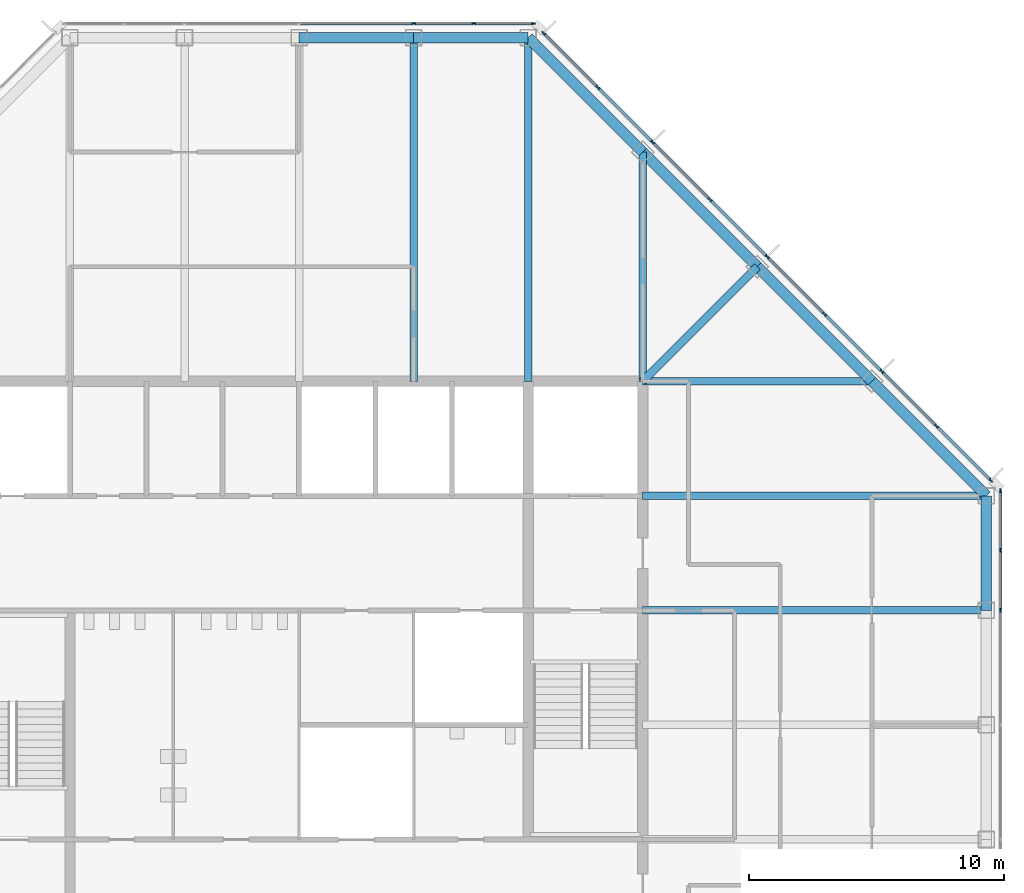
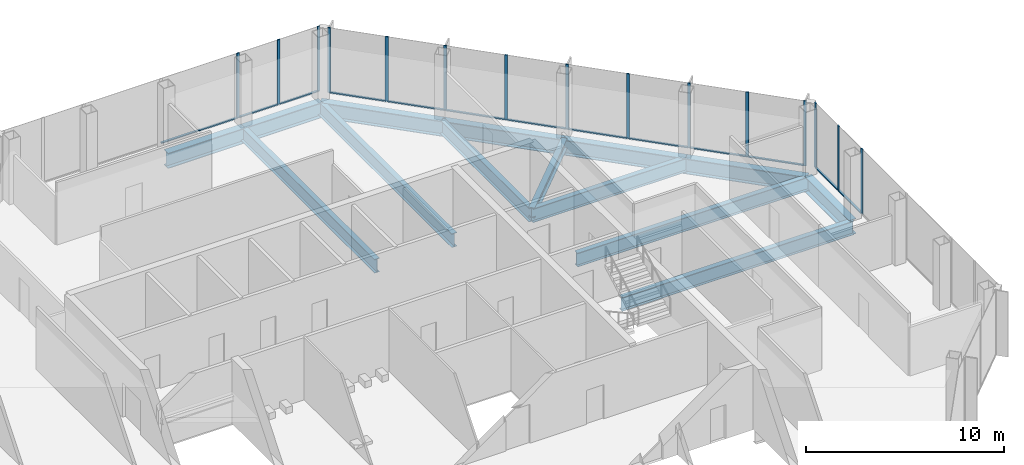
# One storey, part 7 of 13: 28 members, 14 beams, 3 elements without a shape of their own.
"""IFC4 building model written with IfcOpenShell, lengths in metres."""

from ifc_helpers import new_model, si_unit, direction, frame, origin, origin_2d, place, context, subcontext, project, spatial, rectangle, i_section, extrude, material, material_profile, profile_set, type_object, element, aggregate, save


model = new_model("IFC4")

# Units and contexts
model_context = context("Model", 3, precision=1e-05, world=origin(), true_north=direction((0.0, 1.0)))
body_context = subcontext(model_context, "Body", "Model", "MODEL_VIEW")
ifc_project = project(units=[si_unit("LENGTHUNIT", "METRE"), si_unit("AREAUNIT", "SQUARE_METRE"), si_unit("VOLUMEUNIT", "CUBIC_METRE"), si_unit("PLANEANGLEUNIT", "RADIAN"), si_unit("MASSUNIT", "GRAM", prefix="KILO")], contexts=[model_context])

# Site, building, storey
site_placement = place(None, origin())
site = spatial("IfcSite", under=ifc_project, at=site_placement, CompositionType="ELEMENT")
building_placement = place(site_placement, origin())
building = spatial("IfcBuilding", under=site, at=building_placement, Name="Corais Broadcast Tower", CompositionType="ELEMENT")
storey_placement = place(building_placement, frame((0.0, 0.0, 210.60009765625)))
storey = spatial("IfcBuildingStorey", under=building, at=storey_placement, Name="L48", CompositionType="ELEMENT", Elevation=210.60009765625)

# Beams
ifc_material_1 = material(Name="Steel ASTM A572 Grade 50", Category="steel")
ifc_material_profile_1 = material_profile(ifc_material_1, i_section(OverallWidth=0.323974609375, OverallDepth=0.611083984375, WebThickness=0.0126953125, FlangeThickness=0.01904296875, at=origin_2d()), Name="W610x155")
ifc_profile_set_1 = profile_set([ifc_material_profile_1], Name="Steel ASTM A572 Grade 50")
beam_type_1 = type_object("IfcBeamType", Name="Corner diagonal W610x155", PredefinedType="BEAM", material=ifc_profile_set_1)
beam_1_placement = place(storey_placement, frame((45.0, 45.0, -0.465576171875), z_axis=(-0.707106781187, -0.707106781187, 0.0), x_axis=(0.707106781187, -0.707106781187, 0.0)))
element("IfcBeam", 1, at=beam_1_placement, inside=storey, type_object=beam_type_1, Name="B6 L/13 to K/12", PredefinedType="BEAM", context=body_context, shape_type="SweptSolid", body=[
    extrude(i_section(OverallWidth=0.323974609375, OverallDepth=0.611083984375, WebThickness=0.0126953125, FlangeThickness=0.01904296875, at=origin_2d()), origin(), (0.0, 0.0, 1.0), 6.364013671875),
])
ifc_material_2 = material(Name="Steel ASTM A572 Grade 50", Category="steel")
ifc_material_profile_2 = material_profile(ifc_material_2, i_section(OverallWidth=0.2939453125, OverallDepth=0.85107421875, WebThickness=0.01611328125, FlangeThickness=0.02685546875, at=origin_2d()), Name="W840x226")
ifc_profile_set_2 = profile_set([ifc_material_profile_2], Name="Steel ASTM A572 Grade 50")
beam_type_2 = type_object("IfcBeamType", Name="Floor beam W840x226", PredefinedType="BEAM", material=ifc_profile_set_2)
for number, where, z_axis, x_axis, name in (
    (2, (31.5, 54.0, -0.585693359375), (0.0, -1.0, 0.0), (1.0, 0.0, 0.0), "B1 N/10 to K/10"),
    (3, (36.0, 54.0, -0.585693359375), (0.0, -1.0, 0.0), (1.0, 0.0, 0.0), "B1 N/11 to K/11"),
):
    element("IfcBeam", number, at=place(storey_placement, frame(where, z_axis=z_axis, x_axis=x_axis)), inside=storey, type_object=beam_type_2, Name=name, PredefinedType="BEAM", context=body_context, shape_type="SweptSolid", body=[
        extrude(i_section(OverallWidth=0.2939453125, OverallDepth=0.85107421875, WebThickness=0.01611328125, FlangeThickness=0.02685546875, at=origin_2d()), origin(), (0.0, 0.0, 1.0), 13.5),
    ])
for number, where, z_axis, x_axis, name in (
    (4, (40.5, 49.5, -0.585693359375), (0.0, -1.0, 0.0), (1.0, 0.0, 0.0), "B1 M/12 to K/12"),
    (5, (49.5, 40.5, -0.585693359375), (-1.0, 0.0, 0.0), (0.0, -1.0, 0.0), "B1 K/14 to K/12"),
):
    element("IfcBeam", number, at=place(storey_placement, frame(where, z_axis=z_axis, x_axis=x_axis)), inside=storey, type_object=beam_type_2, Name=name, PredefinedType="BEAM", context=body_context, shape_type="SweptSolid", body=[
        extrude(i_section(OverallWidth=0.2939453125, OverallDepth=0.85107421875, WebThickness=0.01611328125, FlangeThickness=0.02685546875, at=origin_2d()), origin(), (0.0, 0.0, 1.0), 9.0),
    ])
for number, where, z_axis, x_axis, name in (
    (6, (54.0, 31.5, -0.585693359375), (-1.0, 0.0, 0.0), (0.0, -1.0, 0.0), "B1 H/15 to H/12"),
    (7, (54.0, 36.0, -0.585693359375), (-1.0, 0.0, 0.0), (0.0, -1.0, 0.0), "B1 J/15 to J/12"),
):
    element("IfcBeam", number, at=place(storey_placement, frame(where, z_axis=z_axis, x_axis=x_axis)), inside=storey, type_object=beam_type_2, Name=name, PredefinedType="BEAM", context=body_context, shape_type="SweptSolid", body=[
        extrude(i_section(OverallWidth=0.2939453125, OverallDepth=0.85107421875, WebThickness=0.01611328125, FlangeThickness=0.02685546875, at=origin_2d()), origin(), (0.0, 0.0, 1.0), 13.5),
    ])

# Curtain wall, members
ifc_material_3 = material(Name="Aluminium and glass", Category="aluminium")
curtain_wall_type = type_object("IfcCurtainWallType", Name="Unitised fritted curtain wall CW3", PredefinedType="NOTDEFINED", material=ifc_material_3)
curtain_wall_1_placement = place(storey_placement, origin())
curtain_wall_1 = element("IfcCurtainWall", 8, at=curtain_wall_1_placement, inside=storey, type_object=curtain_wall_type, Name="CW3 curtain wall L48 4", PredefinedType="NOTDEFINED")
ifc_material_4 = material(Name="Aluminium 6063-T6", Category="aluminium")
ifc_material_profile_3 = material_profile(ifc_material_4, rectangle(XDim=0.06494140625, YDim=0.159912109375, at=origin_2d()), Name="Mullion CW3 65x160")
ifc_profile_set_3 = profile_set([ifc_material_profile_3], Name="Aluminium 6063-T6")
member_type_1 = type_object("IfcMemberType", Name="Mullion CW3 65x160", PredefinedType="MULLION", material=ifc_profile_set_3)
member_1_placement = place(storey_placement, frame((31.5, 54.550048828125, 0.0), z_axis=(0.0, 0.0, 1.0), x_axis=(0.0, 1.0, 0.0)))
member_1 = element("IfcMember", 9, at=member_1_placement, type_object=member_type_1, Name="CW3 mullion 5", PredefinedType="MULLION", context=body_context, shape_type="SweptSolid", body=[
    extrude(rectangle(XDim=0.06494140625, YDim=0.159912109375, at=origin_2d()), origin(), (0.0, 0.0, 1.0), 4.0),
])
member_2_placement = place(storey_placement, frame((33.864013671875, 54.550048828125, 0.0), z_axis=(0.0, 0.0, 1.0), x_axis=(0.0, 1.0, 0.0)))
member_2 = element("IfcMember", 10, at=member_2_placement, type_object=member_type_1, Name="CW3 mullion 6", PredefinedType="MULLION", context=body_context, shape_type="SweptSolid", body=[
    extrude(rectangle(XDim=0.06494140625, YDim=0.159912109375, at=origin_2d()), origin(), (0.0, 0.0, 1.0), 4.0),
])
member_3_placement = place(storey_placement, frame((36.1953125, 54.550048828125, 0.0), z_axis=(0.0, 0.0, 1.0), x_axis=(0.0, 1.0, 0.0)))
member_3 = element("IfcMember", 11, at=member_3_placement, type_object=member_type_1, Name="CW3 mullion 7", PredefinedType="MULLION", context=body_context, shape_type="SweptSolid", body=[
    extrude(rectangle(XDim=0.06494140625, YDim=0.159912109375, at=origin_2d()), origin(), (0.0, 0.0, 1.0), 4.0),
])

curtain_wall_2_placement = place(storey_placement, origin())
curtain_wall_2 = element("IfcCurtainWall", 12, at=curtain_wall_2_placement, inside=storey, type_object=curtain_wall_type, Name="CW3 curtain wall L48 5", PredefinedType="NOTDEFINED")
member_4_placement = place(storey_placement, frame((36.6044921875, 54.17333984375, 0.0), z_axis=(0.0, 0.0, 1.0), x_axis=(0.707106781187, 0.707106781187, 0.0)))
member_4 = element("IfcMember", 13, at=member_4_placement, type_object=member_type_1, Name="CW3 mullion 1", PredefinedType="MULLION", context=body_context, shape_type="SweptSolid", body=[
    extrude(rectangle(XDim=0.06494140625, YDim=0.159912109375, at=origin_2d()), origin(), (0.0, 0.0, 1.0), 4.0),
])
member_5_placement = place(storey_placement, frame((38.735107421875, 52.042724609375, 0.0), z_axis=(0.0, 0.0, 1.0), x_axis=(0.707106781187, 0.707106781187, 0.0)))
member_5 = element("IfcMember", 14, at=member_5_placement, type_object=member_type_1, Name="CW3 mullion 2", PredefinedType="MULLION", context=body_context, shape_type="SweptSolid", body=[
    extrude(rectangle(XDim=0.06494140625, YDim=0.159912109375, at=origin_2d()), origin(), (0.0, 0.0, 1.0), 4.0),
])
member_6_placement = place(storey_placement, frame((40.888916015625, 49.888916015625, 0.0), z_axis=(0.0, 0.0, 1.0), x_axis=(0.707106781187, 0.707106781187, 0.0)))
member_6 = element("IfcMember", 15, at=member_6_placement, type_object=member_type_1, Name="CW3 mullion 3", PredefinedType="MULLION", context=body_context, shape_type="SweptSolid", body=[
    extrude(rectangle(XDim=0.06494140625, YDim=0.159912109375, at=origin_2d()), origin(), (0.0, 0.0, 1.0), 4.0),
])
member_7_placement = place(storey_placement, frame((43.138916015625, 47.638916015625, 0.0), z_axis=(0.0, 0.0, 1.0), x_axis=(0.707106781187, 0.707106781187, 0.0)))
member_7 = element("IfcMember", 16, at=member_7_placement, type_object=member_type_1, Name="CW3 mullion 4", PredefinedType="MULLION", context=body_context, shape_type="SweptSolid", body=[
    extrude(rectangle(XDim=0.06494140625, YDim=0.159912109375, at=origin_2d()), origin(), (0.0, 0.0, 1.0), 4.0),
])
member_8_placement = place(storey_placement, frame((45.388916015625, 45.388916015625, 0.0), z_axis=(0.0, 0.0, 1.0), x_axis=(0.707106781187, 0.707106781187, 0.0)))
member_8 = element("IfcMember", 17, at=member_8_placement, type_object=member_type_1, Name="CW3 mullion 5", PredefinedType="MULLION", context=body_context, shape_type="SweptSolid", body=[
    extrude(rectangle(XDim=0.06494140625, YDim=0.159912109375, at=origin_2d()), origin(), (0.0, 0.0, 1.0), 4.0),
])
member_9_placement = place(storey_placement, frame((47.638916015625, 43.138916015625, 0.0), z_axis=(0.0, 0.0, 1.0), x_axis=(0.707106781187, 0.707106781187, 0.0)))
member_9 = element("IfcMember", 18, at=member_9_placement, type_object=member_type_1, Name="CW3 mullion 6", PredefinedType="MULLION", context=body_context, shape_type="SweptSolid", body=[
    extrude(rectangle(XDim=0.06494140625, YDim=0.159912109375, at=origin_2d()), origin(), (0.0, 0.0, 1.0), 4.0),
])
member_10_placement = place(storey_placement, frame((49.888916015625, 40.888916015625, 0.0), z_axis=(0.0, 0.0, 1.0), x_axis=(0.707106781187, 0.707106781187, 0.0)))
member_10 = element("IfcMember", 19, at=member_10_placement, type_object=member_type_1, Name="CW3 mullion 7", PredefinedType="MULLION", context=body_context, shape_type="SweptSolid", body=[
    extrude(rectangle(XDim=0.06494140625, YDim=0.159912109375, at=origin_2d()), origin(), (0.0, 0.0, 1.0), 4.0),
])
member_11_placement = place(storey_placement, frame((52.042724609375, 38.735107421875, 0.0), z_axis=(0.0, 0.0, 1.0), x_axis=(0.707106781187, 0.707106781187, 0.0)))
member_11 = element("IfcMember", 20, at=member_11_placement, type_object=member_type_1, Name="CW3 mullion 8", PredefinedType="MULLION", context=body_context, shape_type="SweptSolid", body=[
    extrude(rectangle(XDim=0.06494140625, YDim=0.159912109375, at=origin_2d()), origin(), (0.0, 0.0, 1.0), 4.0),
])
member_12_placement = place(storey_placement, frame((54.17333984375, 36.6044921875, 0.0), z_axis=(0.0, 0.0, 1.0), x_axis=(0.707106781187, 0.707106781187, 0.0)))
member_12 = element("IfcMember", 21, at=member_12_placement, type_object=member_type_1, Name="CW3 mullion 9", PredefinedType="MULLION", context=body_context, shape_type="SweptSolid", body=[
    extrude(rectangle(XDim=0.06494140625, YDim=0.159912109375, at=origin_2d()), origin(), (0.0, 0.0, 1.0), 4.0),
])

curtain_wall_3_placement = place(storey_placement, origin())
curtain_wall_3 = element("IfcCurtainWall", 22, at=curtain_wall_3_placement, inside=storey, type_object=curtain_wall_type, Name="CW3 curtain wall L48 6", PredefinedType="NOTDEFINED")
member_13_placement = place(storey_placement, frame((54.550048828125, 36.1953125, 0.0), z_axis=(0.0, 0.0, 1.0), x_axis=(1.0, 0.0, 0.0)))
member_13 = element("IfcMember", 23, at=member_13_placement, type_object=member_type_1, Name="CW3 mullion 1", PredefinedType="MULLION", context=body_context, shape_type="SweptSolid", body=[
    extrude(rectangle(XDim=0.06494140625, YDim=0.159912109375, at=origin_2d()), origin(), (0.0, 0.0, 1.0), 4.0),
])
member_14_placement = place(storey_placement, frame((54.550048828125, 33.864013671875, 0.0), z_axis=(0.0, 0.0, 1.0), x_axis=(1.0, 0.0, 0.0)))
member_14 = element("IfcMember", 24, at=member_14_placement, type_object=member_type_1, Name="CW3 mullion 2", PredefinedType="MULLION", context=body_context, shape_type="SweptSolid", body=[
    extrude(rectangle(XDim=0.06494140625, YDim=0.159912109375, at=origin_2d()), origin(), (0.0, 0.0, 1.0), 4.0),
])
member_15_placement = place(storey_placement, frame((54.550048828125, 31.5, 0.0), z_axis=(0.0, 0.0, 1.0), x_axis=(1.0, 0.0, 0.0)))
member_15 = element("IfcMember", 25, at=member_15_placement, type_object=member_type_1, Name="CW3 mullion 3", PredefinedType="MULLION", context=body_context, shape_type="SweptSolid", body=[
    extrude(rectangle(XDim=0.06494140625, YDim=0.159912109375, at=origin_2d()), origin(), (0.0, 0.0, 1.0), 4.0),
])

# Beams
ifc_material_5 = material(Name="Steel ASTM A572 Grade 50", Category="steel")
ifc_material_profile_4 = material_profile(ifc_material_5, i_section(OverallWidth=0.4189453125, OverallDepth=0.94189453125, WebThickness=0.022216796875, FlangeThickness=0.03662109375, at=origin_2d()), Name="W920x345")
ifc_profile_set_4 = profile_set([ifc_material_profile_4], Name="Steel ASTM A572 Grade 50")
beam_type_3 = type_object("IfcBeamType", Name="Transfer spandrel W920x345", PredefinedType="BEAM", material=ifc_profile_set_4)
for number, where, z_axis, x_axis, name in (
    (26, (31.5, 54.0, -0.631103515625), (-1.0, 0.0, 0.0), (0.0, -1.0, 0.0), "SB4 N/10 to N/9"),
    (27, (36.0, 54.0, -0.631103515625), (-1.0, 0.0, 0.0), (0.0, -1.0, 0.0), "SB4 N/11 to N/10"),
):
    element("IfcBeam", number, at=place(storey_placement, frame(where, z_axis=z_axis, x_axis=x_axis)), inside=storey, type_object=beam_type_3, Name=name, PredefinedType="BEAM", context=body_context, shape_type="SweptSolid", body=[
        extrude(i_section(OverallWidth=0.4189453125, OverallDepth=0.94189453125, WebThickness=0.022216796875, FlangeThickness=0.03662109375, at=origin_2d()), origin(), (0.0, 0.0, 1.0), 4.5),
    ])
for number, where, z_axis, x_axis, name in (
    (28, (40.5, 49.5, -0.631103515625), (-0.707106781187, 0.707106781187, 0.0), (-0.707106781187, -0.707106781187, 0.0), "SB4 M/12 to N/11"),
    (29, (45.0, 45.0, -0.631103515625), (-0.707106781187, 0.707106781187, 0.0), (-0.707106781187, -0.707106781187, 0.0), "SB4 L/13 to M/12"),
    (30, (49.5, 40.5, -0.631103515625), (-0.707106781187, 0.707106781187, 0.0), (-0.707106781187, -0.707106781187, 0.0), "SB4 K/14 to L/13"),
):
    element("IfcBeam", number, at=place(storey_placement, frame(where, z_axis=z_axis, x_axis=x_axis)), inside=storey, type_object=beam_type_3, Name=name, PredefinedType="BEAM", context=body_context, shape_type="SweptSolid", body=[
        extrude(i_section(OverallWidth=0.4189453125, OverallDepth=0.94189453125, WebThickness=0.022216796875, FlangeThickness=0.03662109375, at=origin_2d()), origin(), (0.0, 0.0, 1.0), 6.364013671875),
    ])
beam_2_placement = place(storey_placement, frame((54.0, 31.5, -0.631103515625), z_axis=(0.0, 1.0, 0.0), x_axis=(-1.0, 0.0, 0.0)))
element("IfcBeam", 31, at=beam_2_placement, inside=storey, type_object=beam_type_3, Name="SB4 H/15 to J/15", PredefinedType="BEAM", context=body_context, shape_type="SweptSolid", body=[
    extrude(i_section(OverallWidth=0.4189453125, OverallDepth=0.94189453125, WebThickness=0.022216796875, FlangeThickness=0.03662109375, at=origin_2d()), origin(), (0.0, 0.0, 1.0), 4.5),
])
beam_3_placement = place(storey_placement, frame((54.0, 36.0, -0.631103515625), z_axis=(-0.707106781187, 0.707106781187, 0.0), x_axis=(-0.707106781187, -0.707106781187, 0.0)))
element("IfcBeam", 32, at=beam_3_placement, inside=storey, type_object=beam_type_3, Name="SB4 J/15 to K/14", PredefinedType="BEAM", context=body_context, shape_type="SweptSolid", body=[
    extrude(i_section(OverallWidth=0.4189453125, OverallDepth=0.94189453125, WebThickness=0.022216796875, FlangeThickness=0.03662109375, at=origin_2d()), origin(), (0.0, 0.0, 1.0), 6.364013671875),
])

# Member
ifc_material_6 = material(Name="Aluminium 6063-T6", Category="aluminium")
ifc_material_profile_5 = material_profile(ifc_material_6, rectangle(XDim=0.1201171875, YDim=0.06494140625, at=origin_2d()), Name="Transom CW3 65x120")
ifc_profile_set_5 = profile_set([ifc_material_profile_5], Name="Aluminium 6063-T6")
member_type_2 = type_object("IfcMemberType", Name="Transom CW3 65x120", PredefinedType="USERDEFINED", material=ifc_profile_set_5)
member_16_placement = place(storey_placement, frame((27.032470703125, 54.550048828125, 0.032470703125), z_axis=(1.0, 0.0, 0.0), x_axis=(0.0, 1.0, 0.0)))
member_16 = element("IfcMember", 33, at=member_16_placement, type_object=member_type_2, Name="CW3 transom 4.1", ObjectType="TRANSOM", PredefinedType="USERDEFINED", context=body_context, shape_type="SweptSolid", body=[
    extrude(rectangle(XDim=0.1201171875, YDim=0.06494140625, at=origin_2d()), origin(), (0.0, 0.0, 1.0), 4.43505859375),
])

member_17_placement = place(storey_placement, frame((31.532470703125, 54.550048828125, 0.032470703125), z_axis=(1.0, 0.0, 0.0), x_axis=(0.0, 1.0, 0.0)))
member_17 = element("IfcMember", 34, at=member_17_placement, type_object=member_type_2, Name="CW3 transom 5.1", ObjectType="TRANSOM", PredefinedType="USERDEFINED", context=body_context, shape_type="SweptSolid", body=[
    extrude(rectangle(XDim=0.1201171875, YDim=0.06494140625, at=origin_2d()), origin(), (0.0, 0.0, 1.0), 2.298828125),
])

member_18_placement = place(storey_placement, frame((33.896484375, 54.550048828125, 0.032470703125), z_axis=(1.0, 0.0, 0.0), x_axis=(0.0, 1.0, 0.0)))
member_18 = element("IfcMember", 35, at=member_18_placement, type_object=member_type_2, Name="CW3 transom 6.1", ObjectType="TRANSOM", PredefinedType="USERDEFINED", context=body_context, shape_type="SweptSolid", body=[
    extrude(rectangle(XDim=0.1201171875, YDim=0.06494140625, at=origin_2d()), origin(), (0.0, 0.0, 1.0), 2.266357421875),
])

aggregate(curtain_wall_1, [member_1, member_2, member_3, member_16, member_17, member_18])

member_19_placement = place(storey_placement, frame((36.62744140625, 54.150390625, 0.032470703125), z_axis=(0.707106781187, -0.707106781187, 0.0), x_axis=(0.707106781187, 0.707106781187, 0.0)))
member_19 = element("IfcMember", 36, at=member_19_placement, type_object=member_type_2, Name="CW3 transom 1.1", ObjectType="TRANSOM", PredefinedType="USERDEFINED", context=body_context, shape_type="SweptSolid", body=[
    extrude(rectangle(XDim=0.1201171875, YDim=0.06494140625, at=origin_2d()), origin(), (0.0, 0.0, 1.0), 2.9482421875),
])

member_20_placement = place(storey_placement, frame((38.758056640625, 52.019775390625, 0.032470703125), z_axis=(0.707106781187, -0.707106781187, 0.0), x_axis=(0.707106781187, 0.707106781187, 0.0)))
member_20 = element("IfcMember", 37, at=member_20_placement, type_object=member_type_2, Name="CW3 transom 2.1", ObjectType="TRANSOM", PredefinedType="USERDEFINED", context=body_context, shape_type="SweptSolid", body=[
    extrude(rectangle(XDim=0.1201171875, YDim=0.06494140625, at=origin_2d()), origin(), (0.0, 0.0, 1.0), 2.98095703125),
])

member_21_placement = place(storey_placement, frame((40.911865234375, 49.865966796875, 0.032470703125), z_axis=(0.707106781187, -0.707106781187, 0.0), x_axis=(0.707106781187, 0.707106781187, 0.0)))
member_21 = element("IfcMember", 38, at=member_21_placement, type_object=member_type_2, Name="CW3 transom 3.1", ObjectType="TRANSOM", PredefinedType="USERDEFINED", context=body_context, shape_type="SweptSolid", body=[
    extrude(rectangle(XDim=0.1201171875, YDim=0.06494140625, at=origin_2d()), origin(), (0.0, 0.0, 1.0), 3.1171875),
])

member_22_placement = place(storey_placement, frame((43.161865234375, 47.615966796875, 0.032470703125), z_axis=(0.707106781187, -0.707106781187, 0.0), x_axis=(0.707106781187, 0.707106781187, 0.0)))
member_22 = element("IfcMember", 39, at=member_22_placement, type_object=member_type_2, Name="CW3 transom 4.1", ObjectType="TRANSOM", PredefinedType="USERDEFINED", context=body_context, shape_type="SweptSolid", body=[
    extrude(rectangle(XDim=0.1201171875, YDim=0.06494140625, at=origin_2d()), origin(), (0.0, 0.0, 1.0), 3.1171875),
])

member_23_placement = place(storey_placement, frame((45.411865234375, 45.365966796875, 0.032470703125), z_axis=(0.707106781187, -0.707106781187, 0.0), x_axis=(0.707106781187, 0.707106781187, 0.0)))
member_23 = element("IfcMember", 40, at=member_23_placement, type_object=member_type_2, Name="CW3 transom 5.1", ObjectType="TRANSOM", PredefinedType="USERDEFINED", context=body_context, shape_type="SweptSolid", body=[
    extrude(rectangle(XDim=0.1201171875, YDim=0.06494140625, at=origin_2d()), origin(), (0.0, 0.0, 1.0), 3.1171875),
])

member_24_placement = place(storey_placement, frame((47.661865234375, 43.115966796875, 0.032470703125), z_axis=(0.707106781187, -0.707106781187, 0.0), x_axis=(0.707106781187, 0.707106781187, 0.0)))
member_24 = element("IfcMember", 41, at=member_24_placement, type_object=member_type_2, Name="CW3 transom 6.1", ObjectType="TRANSOM", PredefinedType="USERDEFINED", context=body_context, shape_type="SweptSolid", body=[
    extrude(rectangle(XDim=0.1201171875, YDim=0.06494140625, at=origin_2d()), origin(), (0.0, 0.0, 1.0), 3.1171875),
])

member_25_placement = place(storey_placement, frame((49.911865234375, 40.865966796875, 0.032470703125), z_axis=(0.707065828661, -0.70714773134, 0.0), x_axis=(0.70714773134, 0.707065828661, 0.0)))
member_25 = element("IfcMember", 42, at=member_25_placement, type_object=member_type_2, Name="CW3 transom 7.1", ObjectType="TRANSOM", PredefinedType="USERDEFINED", context=body_context, shape_type="SweptSolid", body=[
    extrude(rectangle(XDim=0.1201171875, YDim=0.06494140625, at=origin_2d()), origin(), (0.0, 0.0, 1.0), 2.98095703125),
])

member_26_placement = place(storey_placement, frame((52.065673828125, 38.712158203125, 0.032470703125), z_axis=(0.707106781187, -0.707106781187, 0.0), x_axis=(0.707106781187, 0.707106781187, 0.0)))
member_26 = element("IfcMember", 43, at=member_26_placement, type_object=member_type_2, Name="CW3 transom 8.1", ObjectType="TRANSOM", PredefinedType="USERDEFINED", context=body_context, shape_type="SweptSolid", body=[
    extrude(rectangle(XDim=0.1201171875, YDim=0.06494140625, at=origin_2d()), origin(), (0.0, 0.0, 1.0), 2.9482421875),
])

aggregate(curtain_wall_2, [member_4, member_5, member_6, member_7, member_8, member_9, member_10, member_11, member_12, member_19, member_20, member_21, member_22, member_23, member_24, member_25, member_26])

member_27_placement = place(storey_placement, frame((54.550048828125, 36.162841796875, 0.032470703125), z_axis=(0.0, -1.0, 0.0), x_axis=(1.0, 0.0, 0.0)))
member_27 = element("IfcMember", 44, at=member_27_placement, type_object=member_type_2, Name="CW3 transom 1.1", ObjectType="TRANSOM", PredefinedType="USERDEFINED", context=body_context, shape_type="SweptSolid", body=[
    extrude(rectangle(XDim=0.1201171875, YDim=0.06494140625, at=origin_2d()), origin(), (0.0, 0.0, 1.0), 2.266357421875),
])

member_28_placement = place(storey_placement, frame((54.550048828125, 33.831298828125, 0.032470703125), z_axis=(0.0, -1.0, 0.0), x_axis=(1.0, 0.0, 0.0)))
member_28 = element("IfcMember", 45, at=member_28_placement, type_object=member_type_2, Name="CW3 transom 2.1", ObjectType="TRANSOM", PredefinedType="USERDEFINED", context=body_context, shape_type="SweptSolid", body=[
    extrude(rectangle(XDim=0.1201171875, YDim=0.06494140625, at=origin_2d()), origin(), (0.0, 0.0, 1.0), 2.298828125),
])

aggregate(curtain_wall_3, [member_13, member_14, member_15, member_27, member_28])

save(model, "model.ifc")
